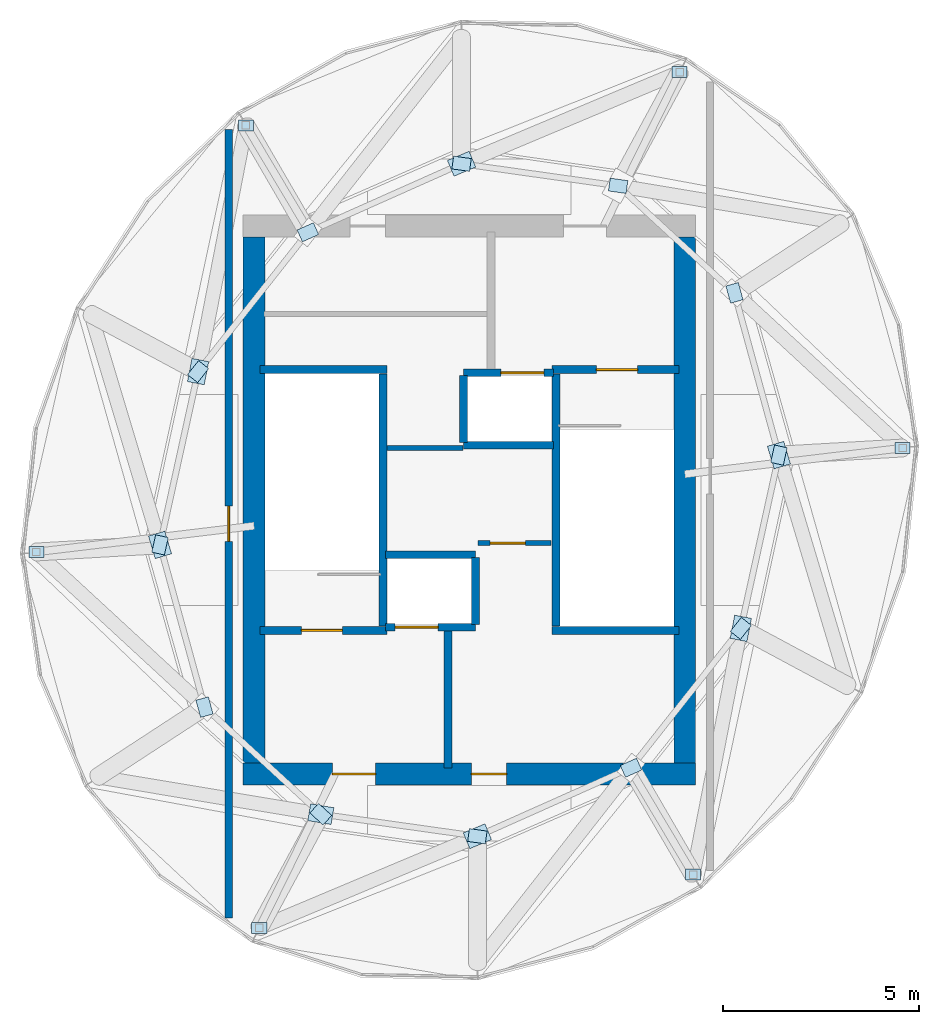
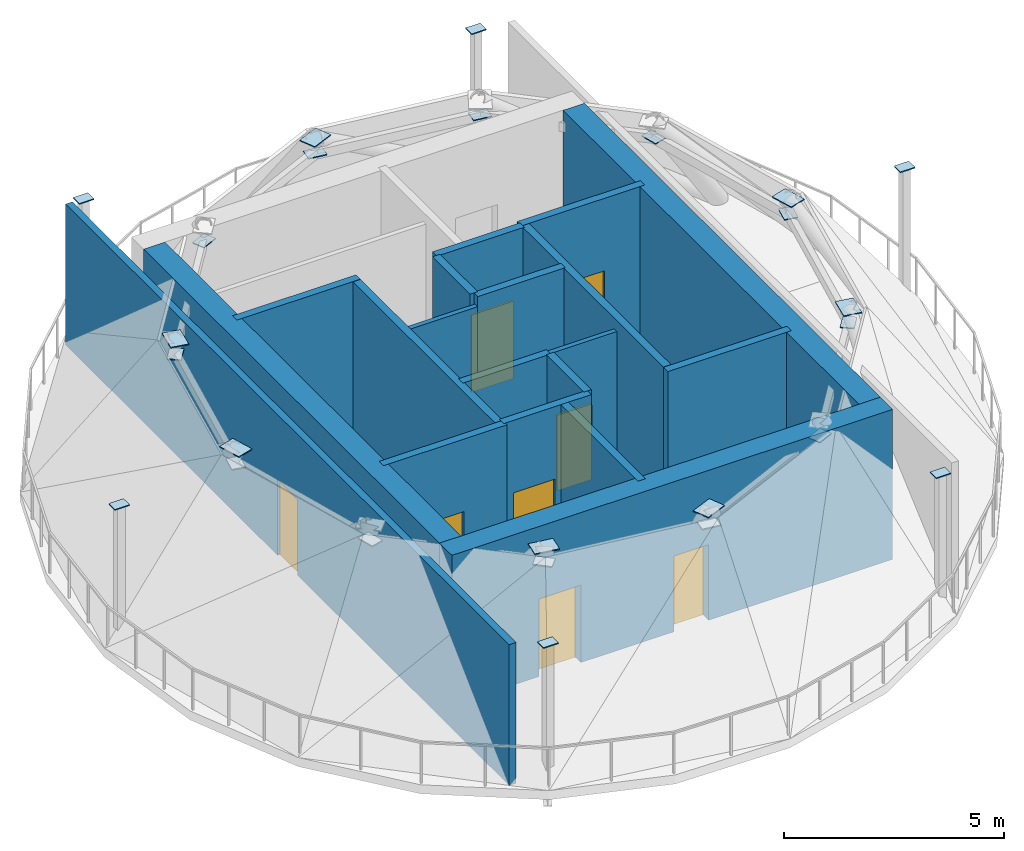
# One storey, part 2 of 4: 25 plates, 19 walls, 8 doors, 8 openings.
"""IFC4 building model written with IfcOpenShell, lengths in metres."""

from ifc_helpers import new_model, si_unit, direction, frame, frame_2d, origin, origin_2d, place, context, subcontext, project, spatial, rectangle, extrude, material, layer, layer_set, type_object, element, fill, save


model = new_model("IFC4")

# Units and contexts
model_context = context("Model", 3, precision=1e-05, world=origin(), true_north=direction((0.0, 1.0)))
body_context = subcontext(model_context, "Body", "Model", "MODEL_VIEW")
ifc_project = project(units=[si_unit("LENGTHUNIT", "METRE"), si_unit("AREAUNIT", "SQUARE_METRE"), si_unit("VOLUMEUNIT", "CUBIC_METRE"), si_unit("PLANEANGLEUNIT", "RADIAN"), si_unit("MASSUNIT", "GRAM", prefix="KILO")], contexts=[model_context])

# Site, building, storey
site_placement = place(None, origin())
site = spatial("IfcSite", under=ifc_project, at=site_placement, CompositionType="ELEMENT")
building_placement = place(site_placement, origin())
building = spatial("IfcBuilding", under=site, at=building_placement, Name="Veldorim Arch Residences", CompositionType="ELEMENT")
storey_placement = place(building_placement, frame((0.0, 0.0, 255.199951171875)))
storey = spatial("IfcBuildingStorey", under=building, at=storey_placement, Name="L76", CompositionType="ELEMENT", Elevation=255.199951171875)

# Plates
ifc_material_1 = material(Name="Steel S460", Category="steel")
ifc_layer_1 = layer(ifc_material_1, 0.028076171875, Name="Welded Crown Rib End-Cap Gusset Plate 28")
ifc_layer_set_1 = layer_set([ifc_layer_1], Name="Steel S460")
plate_type = type_object("IfcPlateType", Name="Welded Crown Rib End-Cap Gusset Plate 28", PredefinedType="USERDEFINED", material=ifc_layer_set_1)
plate_1_placement = place(storey_placement, frame((31.798095703125, 32.59033203125, 4.14599609375), z_axis=(0.0, 0.0, 1.0), x_axis=(-0.921883440593, -0.387467317279, 0.0)))
element("IfcPlate", 1, at=plate_1_placement, inside=storey, type_object=plate_type, Name="L76 Crown Diagrid diagrid brace 01 welded joint gusset plate 2", ObjectType="GUSSET PLATE", PredefinedType="USERDEFINED", context=body_context, shape_type="SweptSolid", body=[
    extrude(rectangle(XDim=0.60205078125, YDim=0.43603515625, at=origin_2d()), origin(), (0.0, 0.0, 1.0), 0.028076171875),
])
for number, where, z_axis, x_axis, name in (
    (2, (35.7978515625, 32.02685546875, 3.72607421875), (0.0, 0.0, 1.0), (-0.990221862746, 0.139501478629, 0.0), "L76 crown ring purlin 01 welded joint gusset plate 1"),
    (3, (31.798095703125, 32.59033203125, 3.72607421875), (0.0, 0.0, 1.0), (-0.990221862746, 0.139501478629, 0.0), "L76 crown ring purlin 01 welded joint gusset plate 2"),
):
    element("IfcPlate", number, at=place(storey_placement, frame(where, z_axis=z_axis, x_axis=x_axis)), inside=storey, type_object=plate_type, Name=name, ObjectType="GUSSET PLATE", PredefinedType="USERDEFINED", context=body_context, shape_type="SweptSolid", body=[
        extrude(rectangle(XDim=0.455078125, YDim=0.330078125, at=origin_2d()), origin(), (0.0, 0.0, 1.0), 0.028076171875),
    ])
plate_2_placement = place(storey_placement, frame((37.369873046875, 34.932373046875, 3.7958984375), z_axis=(0.0, 0.0, 1.0), x_axis=(1.0, 0.0, 0.0)))
element("IfcPlate", 4, at=plate_2_placement, inside=storey, type_object=plate_type, Name="L76 crown interior support post 01 welded joint gusset plate 2", ObjectType="GUSSET PLATE", PredefinedType="USERDEFINED", context=body_context, shape_type="SweptSolid", body=[
    extrude(rectangle(XDim=0.385986328125, YDim=0.280029296875, at=origin_2d()), origin(), (0.0, 0.0, 1.0), 0.028076171875),
])
plate_3_placement = place(storey_placement, frame((27.87255859375, 30.840087890625, 3.72607421875), z_axis=(0.0, 0.0, 1.0), x_axis=(-0.913311042642, -0.407262739995, 0.0)))
element("IfcPlate", 5, at=plate_3_placement, inside=storey, type_object=plate_type, Name="L76 crown ring purlin 02 welded joint gusset plate 2", ObjectType="GUSSET PLATE", PredefinedType="USERDEFINED", context=body_context, shape_type="SweptSolid", body=[
    extrude(rectangle(XDim=0.455078125, YDim=0.330078125, at=origin_2d()), origin(), (0.0, 0.0, 1.0), 0.028076171875),
])
plate_4_placement = place(storey_placement, frame((25.06689453125, 27.2802734375, 4.14599609375), z_axis=(0.0, 0.0, 1.0), x_axis=(-0.190414929607, -0.981703699994, 0.0)))
element("IfcPlate", 6, at=plate_4_placement, inside=storey, type_object=plate_type, Name="L76 Crown Diagrid diagrid brace 03 welded joint gusset plate 2", ObjectType="GUSSET PLATE", PredefinedType="USERDEFINED", context=body_context, shape_type="SweptSolid", body=[
    extrude(rectangle(XDim=0.60205078125, YDim=0.43603515625, at=origin_2d()), origin(), (0.0, 0.0, 1.0), 0.028076171875),
])
plate_5_placement = place(storey_placement, frame((25.06689453125, 27.2802734375, 3.72607421875), z_axis=(0.0, 0.0, 1.0), x_axis=(-0.619025415122, -0.785370954029, 0.0)))
element("IfcPlate", 7, at=plate_5_placement, inside=storey, type_object=plate_type, Name="L76 crown ring purlin 03 welded joint gusset plate 2", ObjectType="GUSSET PLATE", PredefinedType="USERDEFINED", context=body_context, shape_type="SweptSolid", body=[
    extrude(rectangle(XDim=0.455078125, YDim=0.330078125, at=origin_2d()), origin(), (0.0, 0.0, 1.0), 0.028076171875),
])
plate_6_placement = place(storey_placement, frame((26.286865234375, 33.5703125, 3.7958984375), z_axis=(0.0, 0.0, 1.0), x_axis=(1.0, 0.0, 0.0)))
element("IfcPlate", 8, at=plate_6_placement, inside=storey, type_object=plate_type, Name="L76 crown interior support post 02 welded joint gusset plate 2", ObjectType="GUSSET PLATE", PredefinedType="USERDEFINED", context=body_context, shape_type="SweptSolid", body=[
    extrude(rectangle(XDim=0.385986328125, YDim=0.280029296875, at=origin_2d()), origin(), (0.0, 0.0, 1.0), 0.028076171875),
])
plate_7_placement = place(storey_placement, frame((24.093994140625, 22.853515625, 4.14599609375), z_axis=(0.0, 0.0, 1.0), x_axis=(0.287327085362, -0.957832525036, 0.0)))
element("IfcPlate", 9, at=plate_7_placement, inside=storey, type_object=plate_type, Name="L76 Crown Diagrid diagrid brace 04 welded joint gusset plate 2", ObjectType="GUSSET PLATE", PredefinedType="USERDEFINED", context=body_context, shape_type="SweptSolid", body=[
    extrude(rectangle(XDim=0.60205078125, YDim=0.43603515625, at=origin_2d()), origin(), (0.0, 0.0, 1.0), 0.028076171875),
])
for number, where, z_axis, x_axis, name in (
    (10, (24.093994140625, 22.853515625, 3.72607421875), (0.0, 0.0, 1.0), (-0.214667142056, -0.976687267308, 0.0), "L76 crown ring purlin 04 welded joint gusset plate 2"),
    (11, (25.22998046875, 18.708251953125, 3.72607421875), (0.0, 0.0, 1.0), (0.264327557625, -0.964432964119, 0.0), "L76 crown ring purlin 05 welded joint gusset plate 2"),
):
    element("IfcPlate", number, at=place(storey_placement, frame(where, z_axis=z_axis, x_axis=x_axis)), inside=storey, type_object=plate_type, Name=name, ObjectType="GUSSET PLATE", PredefinedType="USERDEFINED", context=body_context, shape_type="SweptSolid", body=[
        extrude(rectangle(XDim=0.455078125, YDim=0.330078125, at=origin_2d()), origin(), (0.0, 0.0, 1.0), 0.028076171875),
    ])
plate_8_placement = place(storey_placement, frame((20.93359375, 22.671630859375, 3.7958984375), z_axis=(0.0, 0.0, 1.0), x_axis=(1.0, 0.0, 0.0)))
element("IfcPlate", 12, at=plate_8_placement, inside=storey, type_object=plate_type, Name="L76 crown interior support post 03 welded joint gusset plate 2", ObjectType="GUSSET PLATE", PredefinedType="USERDEFINED", context=body_context, shape_type="SweptSolid", body=[
    extrude(rectangle(XDim=0.385986328125, YDim=0.280029296875, at=origin_2d()), origin(), (0.0, 0.0, 1.0), 0.028076171875),
])
plate_9_placement = place(storey_placement, frame((28.2021484375, 15.97314453125, 4.14599609375), z_axis=(0.0, 0.0, 1.0), x_axis=(0.986334528733, -0.164754961771, 0.0)))
element("IfcPlate", 13, at=plate_9_placement, inside=storey, type_object=plate_type, Name="L76 Crown Diagrid diagrid brace 06 welded joint gusset plate 2", ObjectType="GUSSET PLATE", PredefinedType="USERDEFINED", context=body_context, shape_type="SweptSolid", body=[
    extrude(rectangle(XDim=0.60205078125, YDim=0.43603515625, at=origin_2d()), origin(), (0.0, 0.0, 1.0), 0.028076171875),
])
plate_10_placement = place(storey_placement, frame((28.2021484375, 15.97314453125, 3.72607421875), z_axis=(0.0, 0.0, 1.0), x_axis=(0.735837131148, -0.677158560769, 0.0)))
element("IfcPlate", 14, at=plate_10_placement, inside=storey, type_object=plate_type, Name="L76 crown ring purlin 06 welded joint gusset plate 2", ObjectType="GUSSET PLATE", PredefinedType="USERDEFINED", context=body_context, shape_type="SweptSolid", body=[
    extrude(rectangle(XDim=0.455078125, YDim=0.330078125, at=origin_2d()), origin(), (0.0, 0.0, 1.0), 0.028076171875),
])
plate_11_placement = place(storey_placement, frame((32.201904296875, 15.40966796875, 4.14599609375), z_axis=(0.0, 0.0, 1.0), x_axis=(0.921883440593, 0.387467317279, 0.0)))
element("IfcPlate", 15, at=plate_11_placement, inside=storey, type_object=plate_type, Name="L76 Crown Diagrid diagrid brace 07 welded joint gusset plate 2", ObjectType="GUSSET PLATE", PredefinedType="USERDEFINED", context=body_context, shape_type="SweptSolid", body=[
    extrude(rectangle(XDim=0.60205078125, YDim=0.43603515625, at=origin_2d()), origin(), (0.0, 0.0, 1.0), 0.028076171875),
])
plate_12_placement = place(storey_placement, frame((32.201904296875, 15.40966796875, 3.72607421875), z_axis=(0.0, 0.0, 1.0), x_axis=(0.990221862746, -0.139501478629, 0.0)))
element("IfcPlate", 16, at=plate_12_placement, inside=storey, type_object=plate_type, Name="L76 crown ring purlin 07 welded joint gusset plate 2", ObjectType="GUSSET PLATE", PredefinedType="USERDEFINED", context=body_context, shape_type="SweptSolid", body=[
    extrude(rectangle(XDim=0.455078125, YDim=0.330078125, at=origin_2d()), origin(), (0.0, 0.0, 1.0), 0.028076171875),
])
plate_13_placement = place(storey_placement, frame((26.630126953125, 13.067626953125, 3.7958984375), z_axis=(0.0, 0.0, 1.0), x_axis=(1.0, 0.0, 0.0)))
element("IfcPlate", 17, at=plate_13_placement, inside=storey, type_object=plate_type, Name="L76 crown interior support post 04 welded joint gusset plate 2", ObjectType="GUSSET PLATE", PredefinedType="USERDEFINED", context=body_context, shape_type="SweptSolid", body=[
    extrude(rectangle(XDim=0.385986328125, YDim=0.280029296875, at=origin_2d()), origin(), (0.0, 0.0, 1.0), 0.028076171875),
])
plate_14_placement = place(storey_placement, frame((36.12744140625, 17.159912109375, 3.72607421875), z_axis=(0.0, 0.0, 1.0), x_axis=(0.913311042642, 0.407262739995, 0.0)))
element("IfcPlate", 18, at=plate_14_placement, inside=storey, type_object=plate_type, Name="L76 crown ring purlin 08 welded joint gusset plate 2", ObjectType="GUSSET PLATE", PredefinedType="USERDEFINED", context=body_context, shape_type="SweptSolid", body=[
    extrude(rectangle(XDim=0.455078125, YDim=0.330078125, at=origin_2d()), origin(), (0.0, 0.0, 1.0), 0.028076171875),
])
plate_15_placement = place(storey_placement, frame((38.93310546875, 20.7197265625, 4.14599609375), z_axis=(0.0, 0.0, 1.0), x_axis=(0.190414929607, 0.981703699994, 0.0)))
element("IfcPlate", 19, at=plate_15_placement, inside=storey, type_object=plate_type, Name="L76 Crown Diagrid diagrid brace 09 welded joint gusset plate 2", ObjectType="GUSSET PLATE", PredefinedType="USERDEFINED", context=body_context, shape_type="SweptSolid", body=[
    extrude(rectangle(XDim=0.60205078125, YDim=0.43603515625, at=origin_2d()), origin(), (0.0, 0.0, 1.0), 0.028076171875),
])
plate_16_placement = place(storey_placement, frame((38.93310546875, 20.7197265625, 3.72607421875), z_axis=(0.0, 0.0, 1.0), x_axis=(0.619025415122, 0.785370954029, 0.0)))
element("IfcPlate", 20, at=plate_16_placement, inside=storey, type_object=plate_type, Name="L76 crown ring purlin 09 welded joint gusset plate 2", ObjectType="GUSSET PLATE", PredefinedType="USERDEFINED", context=body_context, shape_type="SweptSolid", body=[
    extrude(rectangle(XDim=0.455078125, YDim=0.330078125, at=origin_2d()), origin(), (0.0, 0.0, 1.0), 0.028076171875),
])
plate_17_placement = place(storey_placement, frame((37.713134765625, 14.4296875, 3.7958984375), z_axis=(0.0, 0.0, 1.0), x_axis=(1.0, 0.0, 0.0)))
element("IfcPlate", 21, at=plate_17_placement, inside=storey, type_object=plate_type, Name="L76 crown interior support post 05 welded joint gusset plate 2", ObjectType="GUSSET PLATE", PredefinedType="USERDEFINED", context=body_context, shape_type="SweptSolid", body=[
    extrude(rectangle(XDim=0.385986328125, YDim=0.280029296875, at=origin_2d()), origin(), (0.0, 0.0, 1.0), 0.028076171875),
])
plate_18_placement = place(storey_placement, frame((39.906005859375, 25.146484375, 4.14599609375), z_axis=(0.0, 0.0, 1.0), x_axis=(-0.287327085362, 0.957832525036, 0.0)))
element("IfcPlate", 22, at=plate_18_placement, inside=storey, type_object=plate_type, Name="L76 Crown Diagrid diagrid brace 10 welded joint gusset plate 2", ObjectType="GUSSET PLATE", PredefinedType="USERDEFINED", context=body_context, shape_type="SweptSolid", body=[
    extrude(rectangle(XDim=0.60205078125, YDim=0.43603515625, at=origin_2d()), origin(), (0.0, 0.0, 1.0), 0.028076171875),
])
for number, where, z_axis, x_axis, name in (
    (23, (39.906005859375, 25.146484375, 3.72607421875), (0.0, 0.0, 1.0), (0.214667142056, 0.976687267308, 0.0), "L76 crown ring purlin 10 welded joint gusset plate 2"),
    (24, (38.77001953125, 29.291748046875, 3.72607421875), (0.0, 0.0, 1.0), (-0.264327557625, 0.964432964119, 0.0), "L76 crown ring purlin 11 welded joint gusset plate 2"),
):
    element("IfcPlate", number, at=place(storey_placement, frame(where, z_axis=z_axis, x_axis=x_axis)), inside=storey, type_object=plate_type, Name=name, ObjectType="GUSSET PLATE", PredefinedType="USERDEFINED", context=body_context, shape_type="SweptSolid", body=[
        extrude(rectangle(XDim=0.455078125, YDim=0.330078125, at=origin_2d()), origin(), (0.0, 0.0, 1.0), 0.028076171875),
    ])
plate_19_placement = place(storey_placement, frame((43.06640625, 25.328369140625, 3.7958984375), z_axis=(0.0, 0.0, 1.0), x_axis=(1.0, 0.0, 0.0)))
element("IfcPlate", 25, at=plate_19_placement, inside=storey, type_object=plate_type, Name="L76 crown interior support post 06 welded joint gusset plate 2", ObjectType="GUSSET PLATE", PredefinedType="USERDEFINED", context=body_context, shape_type="SweptSolid", body=[
    extrude(rectangle(XDim=0.385986328125, YDim=0.280029296875, at=origin_2d()), origin(), (0.0, 0.0, 1.0), 0.028076171875),
])

# Wall, opening, door
ifc_material_2 = material(Name="Acoustic Gypsum Board", Category="gypsum")
ifc_layer_2 = layer(ifc_material_2, 0.125, Name="Acoustic Stud Room Partition Wall 125")
ifc_layer_set_2 = layer_set([ifc_layer_2], Name="Acoustic Gypsum Board")
wall_type_1 = type_object("IfcWallType", Name="Acoustic Stud Room Partition Wall 125", PredefinedType="PARTITIONING", material=ifc_layer_set_2)
wall_1_placement = place(storey_placement, frame((32.219970703125, 22.89990234375, 0.0), z_axis=(0.0, 0.0, 1.0), x_axis=(1.0, 0.0, 0.0)))
wall_1 = element("IfcWall", 26, at=wall_1_placement, inside=storey, type_object=wall_type_1, Name="L76 interior wall WL-CA-L76-2", PredefinedType="PARTITIONING", context=body_context, shape_type="SweptSolid", body=[
    extrude(rectangle(XDim=1.860107421875, YDim=0.125, at=frame_2d((0.93017578125, 0.0))), origin(), (0.0, 0.0, 1.0), 3.905029296875),
])
opening_1_placement = place(wall_1_placement, frame((0.31005859375, 0.0, 0.0)))
opening_1 = element("IfcOpeningElement", 27, at=opening_1_placement, cuts=wall_1, Name="Opening DR-SVC", PredefinedType="OPENING", context=body_context, shape_type="SweptSolid", body=[
    extrude(rectangle(XDim=0.89990234375, YDim=2.10009765625, at=frame_2d((0.449951171875, 1.050048828125))), frame((0.0, 0.072509765625, 0.0), z_axis=(0.0, -1.0, 0.0), x_axis=(1.0, 0.0, 0.0)), (0.0, 0.0, 1.0), 0.14501953125),
])
ifc_material_3 = material(Name="Fire-Rated Steel", Category="steel")
door_type_1 = type_object("IfcDoorType", Name="Riser, Shelter & Plant Room Rated Steel Door 900x2100", OperationType="SINGLE_SWING_LEFT", PredefinedType="DOOR", material=ifc_material_3)
door_1_placement = place(opening_1_placement, origin())
door_1 = element("IfcDoor", 28, at=door_1_placement, inside=storey, type_object=door_type_1, Name="L76 interior door DR-L76-CA1", OperationType="SINGLE_SWING_RIGHT", OverallHeight=2.10009765625, OverallWidth=0.89990234375, PredefinedType="DOOR", context=body_context, shape_type="SweptSolid", body=[
    extrude(rectangle(XDim=0.89990234375, YDim=2.10009765625, at=frame_2d((0.449951171875, 1.050048828125))), frame((0.0, 0.02490234375, 0.0), z_axis=(0.0, -1.0, 0.0), x_axis=(1.0, 0.0, 0.0)), (0.0, 0.0, 1.0), 0.050048828125),
])
fill(opening_1, door_1)

# Wall
wall_2_placement = place(storey_placement, frame((29.889892578125, 25.330078125, 0.0), z_axis=(0.0, 0.0, 1.0), x_axis=(1.0, 0.0, 0.0)))
element("IfcWall", 29, at=wall_2_placement, inside=storey, type_object=wall_type_1, Name="L76 interior wall WL-CA-L76-N", PredefinedType="PARTITIONING", context=body_context, shape_type="SweptSolid", body=[
    extrude(rectangle(XDim=1.940185546875, YDim=0.125, at=frame_2d((0.97021484375, 0.0))), origin(), (0.0, 0.0, 1.0), 3.905029296875),
])

# Wall, opening, door
ifc_material_4 = material(Name="Lightweight Masonry Block & Gypsum", Category="masonry")
ifc_layer_3 = layer(ifc_material_4, 0.179931640625, Name="Compartment & Corridor Fire-Rated Party Wall 180")
ifc_layer_set_3 = layer_set([ifc_layer_3], Name="Lightweight Masonry Block & Gypsum")
wall_type_2 = type_object("IfcWallType", Name="Compartment & Corridor Fire-Rated Party Wall 180", PredefinedType="PARTITIONING", material=ifc_layer_set_3)
wall_3_placement = place(storey_placement, frame((25.85009765625, 13.319580078125, 0.0), z_axis=(0.0, 0.0, 1.0), x_axis=(0.0, 1.0, 0.0)))
wall_3 = element("IfcWall", 30, at=wall_3_placement, inside=storey, type_object=wall_type_2, Name="L76 interior wall WL-PLT-L76-001", PredefinedType="PARTITIONING", context=body_context, shape_type="SweptSolid", body=[
    extrude(rectangle(XDim=20.151611328125, YDim=0.179931640625, at=frame_2d((10.07568359375, 0.0))), origin(), (0.0, 0.0, 1.0), 3.905029296875),
])
opening_2_placement = place(wall_3_placement, frame((9.625732421875, 0.0, 0.0)))
opening_2 = element("IfcOpeningElement", 31, at=opening_2_placement, cuts=wall_3, Name="Opening DR-SVC", PredefinedType="OPENING", context=body_context, shape_type="SweptSolid", body=[
    extrude(rectangle(XDim=0.89990234375, YDim=2.10009765625, at=frame_2d((0.449951171875, 1.050048828125))), frame((0.0, 0.099853515625, 0.0), z_axis=(0.0, -1.0, 0.0), x_axis=(1.0, 0.0, 0.0)), (0.0, 0.0, 1.0), 0.199951171875),
])
door_2_placement = place(opening_2_placement, origin())
door_2 = element("IfcDoor", 32, at=door_2_placement, inside=storey, type_object=door_type_1, Name="L76 interior door DR-PLT-L76-001", OperationType="SINGLE_SWING_LEFT", OverallHeight=2.10009765625, OverallWidth=0.89990234375, PredefinedType="DOOR", context=body_context, shape_type="SweptSolid", body=[
    extrude(rectangle(XDim=0.89990234375, YDim=2.10009765625, at=frame_2d((0.449951171875, 1.050048828125))), frame((0.0, 0.02490234375, 0.0), z_axis=(0.0, -1.0, 0.0), x_axis=(1.0, 0.0, 0.0)), (0.0, 0.0, 1.0), 0.050048828125),
])
fill(opening_2, door_2)

# Walls
ifc_material_5 = material(Name="Concrete C50/60", Category="concrete")
ifc_layer_4 = layer(ifc_material_5, 0.199951171875, Name="Core Stair & Lift Shaft Enclosure Wall 200")
ifc_layer_set_4 = layer_set([ifc_layer_4], Name="Concrete C50/60")
wall_type_3 = type_object("IfcWallType", Name="Core Stair & Lift Shaft Enclosure Wall 200", PredefinedType="SHEAR", material=ifc_layer_set_4)
wall_4_placement = place(storey_placement, frame((29.7900390625, 20.780029296875, 0.0), z_axis=(0.0, 0.0, 1.0), x_axis=(0.0, 1.0, 0.0)))
element("IfcWall", 33, at=wall_4_placement, inside=storey, type_object=wall_type_3, Name="L76 shaft wall WL-SHF-L76-ST1-E", PredefinedType="SHEAR", context=body_context, shape_type="SweptSolid", body=[
    extrude(rectangle(XDim=6.43994140625, YDim=0.199951171875, at=frame_2d((3.219970703125, 0.0))), origin(), (0.0, 0.0, 1.0), 4.16015625),
])
wall_5_placement = place(storey_placement, frame((26.64990234375, 27.330078125, 0.0), z_axis=(0.0, 0.0, 1.0), x_axis=(1.0, 0.0, 0.0)))
element("IfcWall", 34, at=wall_5_placement, inside=storey, type_object=wall_type_3, Name="L76 shaft wall WL-SHF-L76-ST1-N", PredefinedType="SHEAR", context=body_context, shape_type="SweptSolid", body=[
    extrude(rectangle(XDim=3.239990234375, YDim=0.199951171875, at=frame_2d((1.6201171875, 0.0))), origin(), (0.0, 0.0, 1.0), 4.16015625),
])

# Wall, opening, door
wall_6_placement = place(storey_placement, frame((26.64990234375, 20.669921875, 0.0), z_axis=(0.0, 0.0, 1.0), x_axis=(1.0, 0.0, 0.0)))
wall_6 = element("IfcWall", 35, at=wall_6_placement, inside=storey, type_object=wall_type_3, Name="L76 shaft wall WL-SHF-L76-ST1-S", PredefinedType="SHEAR", context=body_context, shape_type="SweptSolid", body=[
    extrude(rectangle(XDim=3.239990234375, YDim=0.199951171875, at=frame_2d((1.6201171875, 0.0))), origin(), (0.0, 0.0, 1.0), 4.16015625),
])
opening_3_placement = place(wall_6_placement, frame((1.054931640625, 0.0, 0.0)))
opening_3 = element("IfcOpeningElement", 36, at=opening_3_placement, cuts=wall_6, Name="Opening DR-ST", PredefinedType="OPENING", context=body_context, shape_type="SweptSolid", body=[
    extrude(rectangle(XDim=1.050048828125, YDim=2.14990234375, at=frame_2d((0.52490234375, 1.074951171875))), frame((0.0, 0.10986328125, 0.0), z_axis=(0.0, -1.0, 0.0), x_axis=(1.0, 0.0, 0.0)), (0.0, 0.0, 1.0), 0.219970703125),
])
ifc_material_6 = material(Name="Fire-Rated Steel", Category="steel")
door_type_2 = type_object("IfcDoorType", Name="Exit Staircase Self-Closing Fire Door 1050x2150", OperationType="SINGLE_SWING_LEFT", PredefinedType="DOOR", material=ifc_material_6)
door_3_placement = place(opening_3_placement, origin())
door_3 = element("IfcDoor", 37, at=door_3_placement, inside=storey, type_object=door_type_2, Name="L76 interior door DR-L76-ST1", OperationType="SINGLE_SWING_LEFT", OverallHeight=2.14990234375, OverallWidth=1.050048828125, PredefinedType="DOOR", context=body_context, shape_type="SweptSolid", body=[
    extrude(rectangle(XDim=1.050048828125, YDim=2.14990234375, at=frame_2d((0.52490234375, 1.074951171875))), frame((0.0, 0.02490234375, 0.0), z_axis=(0.0, -1.0, 0.0), x_axis=(1.0, 0.0, 0.0)), (0.0, 0.0, 1.0), 0.050048828125),
])
fill(opening_3, door_3)

# Walls
wall_7_placement = place(storey_placement, frame((34.2099609375, 20.780029296875, 0.0), z_axis=(0.0, 0.0, 1.0), x_axis=(0.0, 1.0, 0.0)))
element("IfcWall", 38, at=wall_7_placement, inside=storey, type_object=wall_type_3, Name="L76 shaft wall WL-SHF-L76-ST2-W", PredefinedType="SHEAR", context=body_context, shape_type="SweptSolid", body=[
    extrude(rectangle(XDim=6.43994140625, YDim=0.199951171875, at=frame_2d((3.219970703125, 0.0))), origin(), (0.0, 0.0, 1.0), 4.16015625),
])
wall_8_placement = place(storey_placement, frame((34.110107421875, 20.669921875, 0.0), z_axis=(0.0, 0.0, 1.0), x_axis=(1.0, 0.0, 0.0)))
element("IfcWall", 39, at=wall_8_placement, inside=storey, type_object=wall_type_3, Name="L76 shaft wall WL-SHF-L76-ST2-S", PredefinedType="SHEAR", context=body_context, shape_type="SweptSolid", body=[
    extrude(rectangle(XDim=3.239990234375, YDim=0.199951171875, at=frame_2d((1.6201171875, 0.0))), origin(), (0.0, 0.0, 1.0), 4.16015625),
])

# Wall, opening, door
wall_9_placement = place(storey_placement, frame((34.110107421875, 27.330078125, 0.0), z_axis=(0.0, 0.0, 1.0), x_axis=(1.0, 0.0, 0.0)))
wall_9 = element("IfcWall", 40, at=wall_9_placement, inside=storey, type_object=wall_type_3, Name="L76 shaft wall WL-SHF-L76-ST2-N", PredefinedType="SHEAR", context=body_context, shape_type="SweptSolid", body=[
    extrude(rectangle(XDim=3.239990234375, YDim=0.199951171875, at=frame_2d((1.6201171875, 0.0))), origin(), (0.0, 0.0, 1.0), 4.16015625),
])
opening_4_placement = place(wall_9_placement, frame((1.135009765625, 0.0, 0.0)))
opening_4 = element("IfcOpeningElement", 41, at=opening_4_placement, cuts=wall_9, Name="Opening DR-ST", PredefinedType="OPENING", context=body_context, shape_type="SweptSolid", body=[
    extrude(rectangle(XDim=1.050048828125, YDim=2.14990234375, at=frame_2d((0.52490234375, 1.074951171875))), frame((0.0, 0.10986328125, 0.0), z_axis=(0.0, -1.0, 0.0), x_axis=(1.0, 0.0, 0.0)), (0.0, 0.0, 1.0), 0.219970703125),
])
door_4_placement = place(opening_4_placement, origin())
door_4 = element("IfcDoor", 42, at=door_4_placement, inside=storey, type_object=door_type_2, Name="L76 interior door DR-L76-ST2", OperationType="SINGLE_SWING_RIGHT", OverallHeight=2.14990234375, OverallWidth=1.050048828125, PredefinedType="DOOR", context=body_context, shape_type="SweptSolid", body=[
    extrude(rectangle(XDim=1.050048828125, YDim=2.14990234375, at=frame_2d((0.52490234375, 1.074951171875))), frame((0.0, 0.02490234375, 0.0), z_axis=(0.0, -1.0, 0.0), x_axis=(1.0, 0.0, 0.0)), (0.0, 0.0, 1.0), 0.050048828125),
])
fill(opening_4, door_4)

# Wall
wall_10_placement = place(storey_placement, frame((31.449951171875, 17.14990234375, 0.0), z_axis=(0.0, 0.0, 1.0), x_axis=(0.0, 1.0, 0.0)))
element("IfcWall", 43, at=wall_10_placement, inside=storey, type_object=wall_type_3, Name="L76 shaft wall WL-FFL1-L76-E", PredefinedType="SHEAR", context=body_context, shape_type="SweptSolid", body=[
    extrude(rectangle(XDim=3.5, YDim=0.199951171875, at=frame_2d((1.75, 0.0))), origin(), (0.0, 0.0, 1.0), 4.16015625),
])

# Wall, opening, door
wall_11_placement = place(storey_placement, frame((29.85009765625, 20.75, 0.0), z_axis=(0.0, 0.0, 1.0), x_axis=(1.0, 0.0, 0.0)))
wall_11 = element("IfcWall", 44, at=wall_11_placement, inside=storey, type_object=wall_type_3, Name="L76 shaft wall WL-FL01-L76-S", PredefinedType="SHEAR", context=body_context, shape_type="SweptSolid", body=[
    extrude(rectangle(XDim=2.2998046875, YDim=0.199951171875, at=frame_2d((1.14990234375, 0.0))), origin(), (0.0, 0.0, 1.0), 4.16015625),
])
opening_5_placement = place(wall_11_placement, frame((0.25, 0.0, 0.0)))
opening_5 = element("IfcOpeningElement", 45, at=opening_5_placement, cuts=wall_11, Name="Opening LD-FF", PredefinedType="OPENING", context=body_context, shape_type="SweptSolid", body=[
    extrude(rectangle(XDim=1.10009765625, YDim=2.14990234375, at=frame_2d((0.550048828125, 1.074951171875))), frame((0.0, 0.10986328125, 0.0), z_axis=(0.0, -1.0, 0.0), x_axis=(1.0, 0.0, 0.0)), (0.0, 0.0, 1.0), 0.219970703125),
])
ifc_material_7 = material(Name="Stainless Steel", Category="steel")
door_type_3 = type_object("IfcDoorType", Name="Firefighting Lift Bi-Parting Sliding Landing Door 1100x2150", OperationType="DOUBLE_DOOR_SLIDING", PredefinedType="DOOR", material=ifc_material_7)
door_5_placement = place(opening_5_placement, origin())
door_5 = element("IfcDoor", 46, at=door_5_placement, inside=storey, type_object=door_type_3, Name="L76 lift landing door LD-L76-FL01", OperationType="DOUBLE_DOOR_SLIDING", OverallHeight=2.14990234375, OverallWidth=1.10009765625, PredefinedType="DOOR", context=body_context, shape_type="SweptSolid", body=[
    extrude(rectangle(XDim=1.10009765625, YDim=2.14990234375, at=frame_2d((0.550048828125, 1.074951171875))), frame((0.0, 0.02490234375, 0.0), z_axis=(0.0, -1.0, 0.0), x_axis=(1.0, 0.0, 0.0)), (0.0, 0.0, 1.0), 0.050048828125),
])
fill(opening_5, door_5)

# Walls
wall_12_placement = place(storey_placement, frame((29.85009765625, 22.60009765625, 0.0), z_axis=(0.0, 0.0, 1.0), x_axis=(1.0, 0.0, 0.0)))
element("IfcWall", 47, at=wall_12_placement, inside=storey, type_object=wall_type_3, Name="L76 shaft wall WL-FL01-L76-N", PredefinedType="SHEAR", context=body_context, shape_type="SweptSolid", body=[
    extrude(rectangle(XDim=2.2998046875, YDim=0.199951171875, at=frame_2d((1.14990234375, 0.0))), origin(), (0.0, 0.0, 1.0), 4.16015625),
])
wall_13_placement = place(storey_placement, frame((32.14990234375, 20.820068359375, 0.0), z_axis=(0.0, 0.0, 1.0), x_axis=(0.0, 1.0, 0.0)))
element("IfcWall", 48, at=wall_13_placement, inside=storey, type_object=wall_type_3, Name="L76 shaft wall WL-FL01-L76-E", PredefinedType="SHEAR", context=body_context, shape_type="SweptSolid", body=[
    extrude(rectangle(XDim=1.7099609375, YDim=0.199951171875, at=frame_2d((0.85498046875, 0.0))), origin(), (0.0, 0.0, 1.0), 4.16015625),
])

# Wall, opening, door
wall_14_placement = place(storey_placement, frame((31.85009765625, 27.25, 0.0), z_axis=(0.0, 0.0, 1.0), x_axis=(1.0, 0.0, 0.0)))
wall_14 = element("IfcWall", 49, at=wall_14_placement, inside=storey, type_object=wall_type_3, Name="L76 shaft wall WL-FL02-L76-N", PredefinedType="SHEAR", context=body_context, shape_type="SweptSolid", body=[
    extrude(rectangle(XDim=2.2998046875, YDim=0.199951171875, at=frame_2d((1.14990234375, 0.0))), origin(), (0.0, 0.0, 1.0), 4.16015625),
])
opening_6_placement = place(wall_14_placement, frame((0.949951171875, 0.0, 0.0)))
opening_6 = element("IfcOpeningElement", 50, at=opening_6_placement, cuts=wall_14, Name="Opening LD-FF", PredefinedType="OPENING", context=body_context, shape_type="SweptSolid", body=[
    extrude(rectangle(XDim=1.10009765625, YDim=2.14990234375, at=frame_2d((0.550048828125, 1.074951171875))), frame((0.0, 0.10986328125, 0.0), z_axis=(0.0, -1.0, 0.0), x_axis=(1.0, 0.0, 0.0)), (0.0, 0.0, 1.0), 0.219970703125),
])
door_6_placement = place(opening_6_placement, origin())
door_6 = element("IfcDoor", 51, at=door_6_placement, inside=storey, type_object=door_type_3, Name="L76 lift landing door LD-L76-FL02", OperationType="DOUBLE_DOOR_SLIDING", OverallHeight=2.14990234375, OverallWidth=1.10009765625, PredefinedType="DOOR", context=body_context, shape_type="SweptSolid", body=[
    extrude(rectangle(XDim=1.10009765625, YDim=2.14990234375, at=frame_2d((0.550048828125, 1.074951171875))), frame((0.0, 0.02490234375, 0.0), z_axis=(0.0, -1.0, 0.0), x_axis=(1.0, 0.0, 0.0)), (0.0, 0.0, 1.0), 0.050048828125),
])
fill(opening_6, door_6)

# Walls
wall_15_placement = place(storey_placement, frame((31.85009765625, 25.39990234375, 0.0), z_axis=(0.0, 0.0, 1.0), x_axis=(1.0, 0.0, 0.0)))
element("IfcWall", 52, at=wall_15_placement, inside=storey, type_object=wall_type_3, Name="L76 shaft wall WL-FL02-L76-S", PredefinedType="SHEAR", context=body_context, shape_type="SweptSolid", body=[
    extrude(rectangle(XDim=2.2998046875, YDim=0.199951171875, at=frame_2d((1.14990234375, 0.0))), origin(), (0.0, 0.0, 1.0), 4.16015625),
])
wall_16_placement = place(storey_placement, frame((31.85009765625, 25.469970703125, 0.0), z_axis=(0.0, 0.0, 1.0), x_axis=(0.0, 1.0, 0.0)))
element("IfcWall", 53, at=wall_16_placement, inside=storey, type_object=wall_type_3, Name="L76 shaft wall WL-FL02-L76-W", PredefinedType="SHEAR", context=body_context, shape_type="SweptSolid", body=[
    extrude(rectangle(XDim=1.7099609375, YDim=0.199951171875, at=frame_2d((0.85498046875, 0.0))), origin(), (0.0, 0.0, 1.0), 4.16015625),
])

# Wall, openings, doors
ifc_material_8 = material(Name="Concrete C50/60", Category="concrete")
ifc_layer_5 = layer(ifc_material_8, 0.5, Name="Upper Central Core Shear Wall 560")
ifc_layer_set_5 = layer_set([ifc_layer_5], Name="Concrete C50/60")
wall_type_4 = type_object("IfcWallType", Name="Upper Central Core Shear Wall 560", PredefinedType="SHEAR", material=ifc_layer_set_5)
wall_17_placement = place(storey_placement, frame((26.219970703125, 17.0, 0.0), z_axis=(0.0, 0.0, 1.0), x_axis=(1.0, 0.0, 0.0)))
wall_17 = element("IfcWall", 54, at=wall_17_placement, inside=storey, type_object=wall_type_4, Name="L76 central core south shear wall", PredefinedType="SHEAR", context=body_context, shape_type="SweptSolid", body=[
    extrude(rectangle(XDim=11.56005859375, YDim=0.56005859375, at=frame_2d((5.780029296875, 0.0))), origin(), (0.0, 0.0, 1.0), 4.16015625),
])
opening_7_placement = place(wall_17_placement, frame((2.280029296875, 0.0, 0.0)))
opening_7 = element("IfcOpeningElement", 55, at=opening_7_placement, cuts=wall_17, Name="Opening DR-FFL", PredefinedType="OPENING", context=body_context, shape_type="SweptSolid", body=[
    extrude(rectangle(XDim=1.10009765625, YDim=2.14990234375, at=frame_2d((0.550048828125, 1.074951171875))), frame((0.0, 0.2900390625, 0.0), z_axis=(0.0, -1.0, 0.0), x_axis=(1.0, 0.0, 0.0)), (0.0, 0.0, 1.0), 0.580078125),
])
opening_8_placement = place(wall_17_placement, frame((5.830078125, 0.0, 0.0)))
opening_8 = element("IfcOpeningElement", 56, at=opening_8_placement, cuts=wall_17, Name="Opening DR-SVC", PredefinedType="OPENING", context=body_context, shape_type="SweptSolid", body=[
    extrude(rectangle(XDim=0.89990234375, YDim=2.10009765625, at=frame_2d((0.449951171875, 1.050048828125))), frame((0.0, 0.2900390625, 0.0), z_axis=(0.0, -1.0, 0.0), x_axis=(1.0, 0.0, 0.0)), (0.0, 0.0, 1.0), 0.580078125),
])
ifc_material_9 = material(Name="Fire-Rated Steel & Vision Glass", Category="steel")
door_type_4 = type_object("IfcDoorType", Name="Firefighting Lobby Smoke-Stop Fire Door 1100x2150", OperationType="SINGLE_SWING_LEFT", PredefinedType="DOOR", material=ifc_material_9)
door_7_placement = place(opening_7_placement, origin())
door_7 = element("IfcDoor", 57, at=door_7_placement, inside=storey, type_object=door_type_4, Name="L76 interior door DR-L76-FFL1", OperationType="SINGLE_SWING_RIGHT", OverallHeight=2.14990234375, OverallWidth=1.10009765625, PredefinedType="DOOR", context=body_context, shape_type="SweptSolid", body=[
    extrude(rectangle(XDim=1.10009765625, YDim=2.14990234375, at=frame_2d((0.550048828125, 1.074951171875))), frame((0.0, 0.02490234375, 0.0), z_axis=(0.0, -1.0, 0.0), x_axis=(1.0, 0.0, 0.0)), (0.0, 0.0, 1.0), 0.050048828125),
])
fill(opening_7, door_7)
door_8_placement = place(opening_8_placement, origin())
door_8 = element("IfcDoor", 58, at=door_8_placement, inside=storey, type_object=door_type_1, Name="L76 interior door DR-L76-COR-ANC", OperationType="SINGLE_SWING_LEFT", OverallHeight=2.10009765625, OverallWidth=0.89990234375, PredefinedType="DOOR", context=body_context, shape_type="SweptSolid", body=[
    extrude(rectangle(XDim=0.89990234375, YDim=2.10009765625, at=frame_2d((0.449951171875, 1.050048828125))), frame((0.0, 0.02490234375, 0.0), z_axis=(0.0, -1.0, 0.0), x_axis=(1.0, 0.0, 0.0)), (0.0, 0.0, 1.0), 0.050048828125),
])
fill(opening_8, door_8)

# Walls
for number, where, z_axis, x_axis, name in (
    (59, (26.5, 17.280029296875, 0.0), (0.0, 0.0, 1.0), (0.0, 1.0, 0.0), "L76 central core west shear wall"),
    (60, (37.5, 17.280029296875, 0.0), (0.0, 0.0, 1.0), (0.0, 1.0, 0.0), "L76 central core east shear wall"),
):
    element("IfcWall", number, at=place(storey_placement, frame(where, z_axis=z_axis, x_axis=x_axis)), inside=storey, type_object=wall_type_4, Name=name, PredefinedType="SHEAR", context=body_context, shape_type="SweptSolid", body=[
        extrude(rectangle(XDim=13.43994140625, YDim=0.56005859375, at=frame_2d((6.719970703125, 0.0))), origin(), (0.0, 0.0, 1.0), 4.16015625),
    ])

save(model, "model.ifc")
